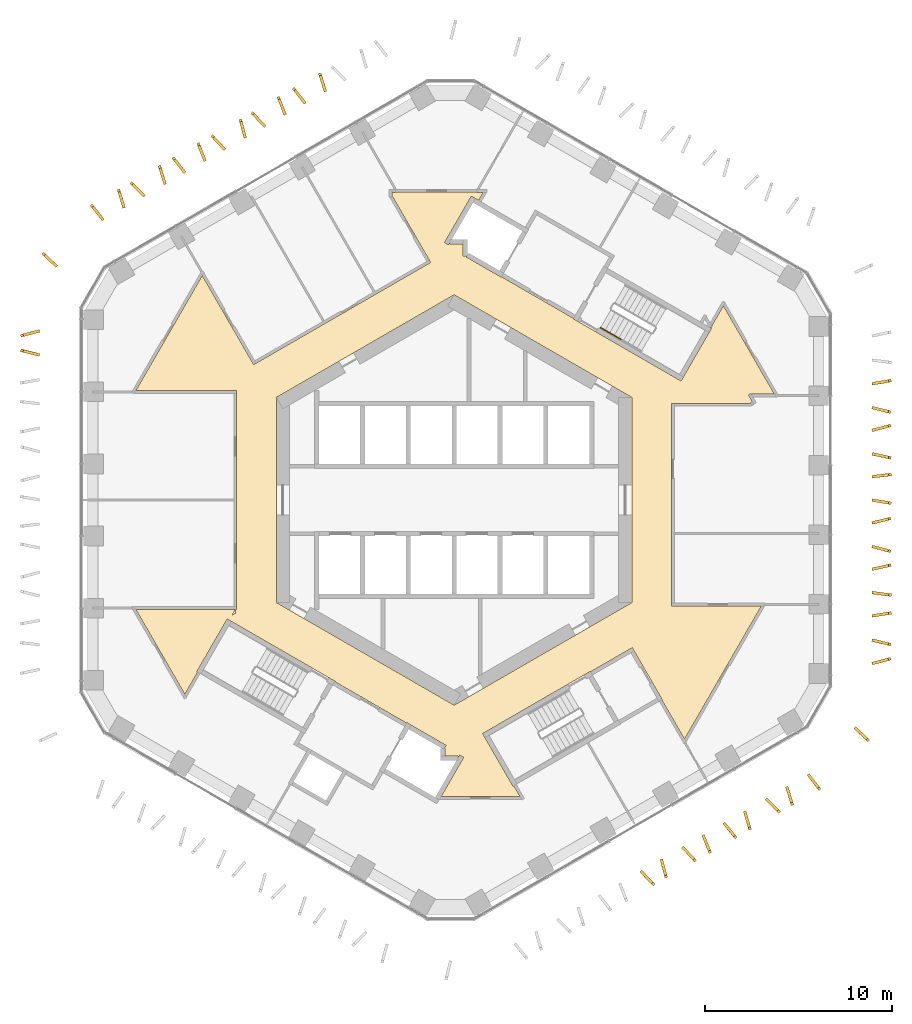
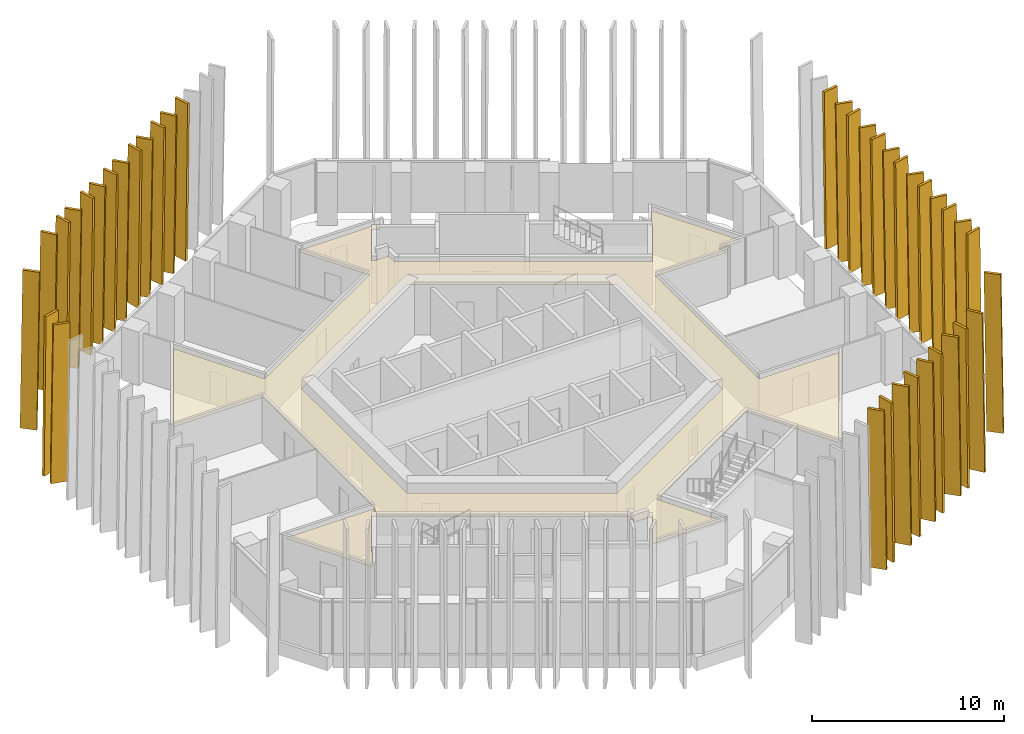
# One storey, part 18 of 19: 38 shading devices, 1 covering, 1 railing.
"""IFC4 building model written with IfcOpenShell, lengths in metres."""

from ifc_helpers import new_model, si_unit, direction, frame, origin, origin_2d, place, context, subcontext, project, spatial, polyline, circle, outline, extrude, material, layer, layer_set, type_object, element, save


model = new_model("IFC4")

# Units and contexts
model_context = context("Model", 3, precision=1e-05, world=origin(), true_north=direction((0.0, 1.0)))
body_context = subcontext(model_context, "Body", "Model", "MODEL_VIEW")
ifc_project = project(units=[si_unit("LENGTHUNIT", "METRE"), si_unit("AREAUNIT", "SQUARE_METRE"), si_unit("VOLUMEUNIT", "CUBIC_METRE"), si_unit("PLANEANGLEUNIT", "RADIAN"), si_unit("MASSUNIT", "GRAM", prefix="KILO")], contexts=[model_context])

# Site, building, storey
site_placement = place(None, origin())
site = spatial("IfcSite", under=ifc_project, at=site_placement, CompositionType="ELEMENT")
building_placement = place(site_placement, origin())
building = spatial("IfcBuilding", under=site, at=building_placement, Name="Ayvan Gate Tower", CompositionType="ELEMENT")
storey_placement = place(building_placement, frame((0.0, 0.0, 93.300048828125)))
storey = spatial("IfcBuildingStorey", under=building, at=storey_placement, Name="L24", CompositionType="ELEMENT", Elevation=93.300048828125)

# Shading devices
ifc_material_1 = material(Name="Bronze anodised aluminium", Category="aluminium")
ifc_layer_1 = layer(ifc_material_1, 0.14990234375)
ifc_layer_set_1 = layer_set([ifc_layer_1], Name="Bronze anodised aluminium")
shading_device_type = type_object("IfcShadingDeviceType", Name="Bronze fin 900 x 150", PredefinedType="USERDEFINED", material=ifc_layer_set_1)
shading_device_1_placement = place(storey_placement, frame((-6.84912109375, 21.9833984375, 0.0), z_axis=(0.95604253762, 0.293227970823, 0.000152930244), x_axis=(-0.293227974252, 0.9560425488, -6.081e-09)))
element("IfcShadingDevice", 1, at=shading_device_1_placement, inside=storey, type_object=shading_device_type, Name="Bronze fin FG08.1.4", ObjectType="FIN", PredefinedType="USERDEFINED", context=body_context, shape_type="SweptSolid", body=[
    extrude(outline(polyline([(0.0, 0.0), (0.9001536681363617, 0.0), (0.7576325025709862, 10.079834106854209), (-0.14228775673998478, 10.079834095907527), (0.0, 0.0)])), origin(), (0.0, 0.0, -1.0), 0.14990234375),
])
shading_device_2_placement = place(storey_placement, frame((-7.9892578125, 21.35986328125, 0.0), z_axis=(0.787559374793, 0.616238759849, 0.000148442547), x_axis=(-0.616238766637, 0.787559383471, -1.5859e-08)))
element("IfcShadingDevice", 2, at=shading_device_2_placement, inside=storey, type_object=shading_device_type, Name="Bronze fin FG08.1.5", ObjectType="FIN", PredefinedType="USERDEFINED", context=body_context, shape_type="SweptSolid", body=[
    extrude(outline(polyline([(0.0, 0.0), (0.8998445139770113, -1.3552527156068805e-20), (0.7575620011059064, 10.07983410744494), (-0.14243296178874068, 10.079834078900728), (0.0, 0.0)])), origin(), (0.0, 0.0, -1.0), 0.14990234375),
])
shading_device_3_placement = place(storey_placement, frame((-9.006591796875, 20.74755859375, 0.0), z_axis=(0.929826908262, 0.367997141082, 0.000157568555), x_axis=(-0.367997145654, 0.929826919803, 2.774e-08)))
element("IfcShadingDevice", 3, at=shading_device_3_placement, inside=storey, type_object=shading_device_type, Name="Bronze fin FG08.1.6", ObjectType="FIN", PredefinedType="USERDEFINED", context=body_context, shape_type="SweptSolid", body=[
    extrude(outline(polyline([(0.0, 0.0), (0.8998752394574411, 1.3552527156068805e-20), (0.7576056831841005, 10.079834088489003), (-0.14240672174554495, 10.079834138418653), (0.0, 0.0)])), origin(), (0.0, 0.0, -1.0), 0.14990234375),
])
shading_device_4_placement = place(storey_placement, frame((-10.14794921875, 20.117919921875, 0.0), z_axis=(0.729198711462, 0.684301990202, 0.000159395551), x_axis=(-0.684301998893, 0.729198720727, -1.5767e-08)))
element("IfcShadingDevice", 4, at=shading_device_4_placement, inside=storey, type_object=shading_device_type, Name="Bronze fin FG08.1.7", ObjectType="FIN", PredefinedType="USERDEFINED", context=body_context, shape_type="SweptSolid", body=[
    extrude(outline(polyline([(0.0, 0.0), (0.8998769049131942, 1.3552527156068805e-20), (0.7575011508973561, 10.079834124367402), (-0.14254281993353657, 10.079834095988051), (0.0, 0.0)])), origin(), (0.0, 0.0, -1.0), 0.14990234375),
])
shading_device_5_placement = place(storey_placement, frame((-11.127685546875, 19.508544921875, 0.0), z_axis=(0.965937144563, 0.25877675819, 0.000148908432), x_axis=(-0.258776761059, 0.965937155273, 0.0)))
element("IfcShadingDevice", 5, at=shading_device_5_placement, inside=storey, type_object=shading_device_type, Name="Bronze fin FG08.1.8", ObjectType="FIN", PredefinedType="USERDEFINED", context=body_context, shape_type="SweptSolid", body=[
    extrude(outline(polyline([(0.0, 0.0), (0.9000427831971298, 6.776263578034403e-21), (0.7576411418195699, 10.079834096128716), (-0.14240164137755992, 10.079834096128716), (0.0, 0.0)])), origin(), (0.0, 0.0, -1.0), 0.14990234375),
])
shading_device_6_placement = place(storey_placement, frame((-12.29052734375, 18.880859375, 0.0), z_axis=(0.729198713289, 0.684301991916, 0.000142821279), x_axis=(-0.684301998894, 0.729198720727, -1.4128e-08)))
element("IfcShadingDevice", 6, at=shading_device_6_placement, inside=storey, type_object=shading_device_type, Name="Bronze fin FG08.1.9", ObjectType="FIN", PredefinedType="USERDEFINED", context=body_context, shape_type="SweptSolid", body=[
    extrude(outline(polyline([(0.0, 0.0), (0.899876904913194, 1.3552527156068805e-20), (0.7576791944545155, 10.079834097882939), (-0.14236477637637734, 10.07983407245453), (0.0, 0.0)])), origin(), (0.0, 0.0, -1.0), 0.14990234375),
])
shading_device_7_placement = place(storey_placement, frame((-13.2919921875, 18.2734375, 0.0), z_axis=(0.929891672326, 0.367833461982, 0.000148276147), x_axis=(-0.367833466025, 0.929891682548, 0.0)))
element("IfcShadingDevice", 7, at=shading_device_7_placement, inside=storey, type_object=shading_device_type, Name="Bronze fin FG08.1.10", ObjectType="FIN", PredefinedType="USERDEFINED", context=body_context, shape_type="SweptSolid", body=[
    extrude(outline(polyline([(0.0, 0.0), (0.9000124188731935, 6.776263578034403e-21), (0.757515309159349, 10.079834095181688), (-0.1424971097138446, 10.079834095181688), (0.0, 0.0)])), origin(), (0.0, 0.0, -1.0), 0.14990234375),
])
shading_device_8_placement = place(storey_placement, frame((-14.417236328125, 17.648681640625, 0.0), z_axis=(0.787493544481, 0.616322884278, 0.000140414347), x_axis=(-0.616322890354, 0.787493552244, 0.0)))
element("IfcShadingDevice", 8, at=shading_device_8_placement, inside=storey, type_object=shading_device_type, Name="Bronze fin FG08.1.11", ObjectType="FIN", PredefinedType="USERDEFINED", context=body_context, shape_type="SweptSolid", body=[
    extrude(outline(polyline([(0.0, 0.0), (0.8999949680293663, -1.3552527156068805e-20), (0.7575623164755119, 10.079834083742957), (-0.14243265155385443, 10.079834083742957), (0.0, 0.0)])), origin(), (0.0, 0.0, -1.0), 0.14990234375),
])
shading_device_9_placement = place(storey_placement, frame((-15.420166015625, 17.034912109375, 0.0), z_axis=(0.956118555582, 0.29298000852, 0.000149266188), x_axis=(-0.292980011783, 0.956118566233, -5.931e-09)))
element("IfcShadingDevice", 9, at=shading_device_9_placement, inside=storey, type_object=shading_device_type, Name="Bronze fin FG08.1.12", ObjectType="FIN", PredefinedType="USERDEFINED", context=body_context, shape_type="SweptSolid", body=[
    extrude(outline(polyline([(0.0, 0.0), (0.9000821188225847, 6.776263578034403e-21), (0.7575605504857673, 10.079834101159427), (-0.1422881409524832, 10.079834090484052), (0.0, 0.0)])), origin(), (0.0, 0.0, -1.0), 0.14990234375),
])
shading_device_10_placement = place(storey_placement, frame((-16.598876953125, 16.39453125, 0.0), z_axis=(0.707242403031, 0.706971117107, 0.000151429152), x_axis=(-0.706971125213, 0.70724241114, 0.0)))
element("IfcShadingDevice", 10, at=shading_device_10_placement, inside=storey, type_object=shading_device_type, Name="Bronze fin FG08.1.13", ObjectType="FIN", PredefinedType="USERDEFINED", context=body_context, shape_type="SweptSolid", body=[
    extrude(outline(polyline([(0.0, 0.0), (0.8999384077507213, 0.0), (0.7575154818395233, 10.07983409994427), (-0.14242292591119793, 10.07983409994427), (0.0, 0.0)])), origin(), (0.0, 0.0, -1.0), 0.14990234375),
])
shading_device_11_placement = place(storey_placement, frame((-17.6123046875, 15.768798828125, 0.0), z_axis=(0.957467096778, 0.288542436221, 0.000145211836), x_axis=(-0.288542439261, 0.957467106874, -1.8862e-08)))
element("IfcShadingDevice", 11, at=shading_device_11_placement, inside=storey, type_object=shading_device_type, Name="Bronze fin FG08.1.14", ObjectType="FIN", PredefinedType="USERDEFINED", context=body_context, shape_type="SweptSolid", body=[
    extrude(outline(polyline([(0.0, 0.0), (0.8998100666728841, 0.0), (0.7574940916337608, 10.079834104936866), (-0.14238641997058343, 10.07983407099131), (0.0, 0.0)])), origin(), (0.0, 0.0, -1.0), 0.14990234375),
])
shading_device_12_placement = place(storey_placement, frame((-18.78759765625, 15.125732421875, 0.0), z_axis=(0.784573637491, 0.620035632256, 0.000148616385), x_axis=(-0.620035639102, 0.784573646157, -1.5818e-08)))
element("IfcShadingDevice", 12, at=shading_device_12_placement, inside=storey, type_object=shading_device_type, Name="Bronze fin FG08.1.15", ObjectType="FIN", PredefinedType="USERDEFINED", context=body_context, shape_type="SweptSolid", body=[
    extrude(outline(polyline([(0.0, 0.0), (0.8998458056720694, 1.3552527156068805e-20), (0.7576529854908186, 10.079834107675094), (-0.14234419606970336, 10.07983407920578), (0.0, 0.0)])), origin(), (0.0, 0.0, -1.0), 0.14990234375),
])
shading_device_13_placement = place(storey_placement, frame((-21.289794921875, 12.628662109375, 0.0), z_axis=(0.690156284659, 0.723660333855, 0.000154758327), x_axis=(-0.723660342523, 0.690156292922, 1.4486e-08)))
element("IfcShadingDevice", 13, at=shading_device_13_placement, inside=storey, type_object=shading_device_type, Name="Bronze fin FG08.2.16", ObjectType="FIN", PredefinedType="USERDEFINED", context=body_context, shape_type="SweptSolid", body=[
    extrude(outline(polyline([(0.0, 0.0), (0.900020362071362, 0.0), (0.7575928629757727, 10.079834094106959), (-0.14225082420727814, 10.079834120180433), (0.0, 0.0)])), origin(), (0.0, 0.0, -1.0), 0.14990234375),
])
shading_device_14_placement = place(storey_placement, frame((-22.3193359375, 9.077880859375, 0.0), z_axis=(-0.25607522403, 0.966656844102, 0.000159338544), x_axis=(-0.966656856373, -0.25607522728, -5.533e-09)))
element("IfcShadingDevice", 14, at=shading_device_14_placement, inside=storey, type_object=shading_device_type, Name="Bronze fin FG08.3.17", ObjectType="FIN", PredefinedType="USERDEFINED", context=body_context, shape_type="SweptSolid", body=[
    extrude(outline(polyline([(0.0, 0.0), (0.9001220826823083, 0.0), (0.757605782226149, 10.079834116524488), (-0.1422803002470837, 10.079834106564208), (0.0, 0.0)])), origin(), (0.0, 0.0, -1.0), 0.14990234375),
])
shading_device_15_placement = place(storey_placement, frame((-22.28271484375, 7.85791015625, 0.0), z_axis=(0.24250370914, 0.970150465034, 0.000162010439), x_axis=(-0.970150477766, 0.242503712324, -5.329e-09)))
element("IfcShadingDevice", 15, at=shading_device_15_placement, inside=storey, type_object=shading_device_type, Name="Bronze fin FG08.3.18", ObjectType="FIN", PredefinedType="USERDEFINED", context=body_context, shape_type="SweptSolid", body=[
    extrude(outline(polyline([(0.0, 0.0), (0.8999161199482214, 0.0), (0.7575685518539225, 10.079834120696935), (-0.14258442123828471, 10.079834111103844), (0.0, 0.0)])), origin(), (0.0, 0.0, -1.0), 0.14990234375),
])
shading_device_16_placement = place(storey_placement, frame((10.01806640625, -19.987548828125, 0.0), z_axis=(-0.725246588896, -0.688489187439, 0.000155163413), x_axis=(0.688489195728, -0.725246597624, 1.4491e-08)))
element("IfcShadingDevice", 16, at=shading_device_16_placement, inside=storey, type_object=shading_device_type, Name="Bronze fin FG08.7.55", ObjectType="FIN", PredefinedType="USERDEFINED", context=body_context, shape_type="SweptSolid", body=[
    extrude(outline(polyline([(0.0, 0.0), (0.8998949546405677, 0.0), (0.7575585509318254, 10.079834094736517), (-0.14251346586636526, 10.07983412082022), (0.0, 0.0)])), origin(), (0.0, 0.0, -1.0), 0.14990234375),
])
shading_device_17_placement = place(storey_placement, frame((11.038818359375, -19.354248046875, 0.0), z_axis=(-0.965869312302, -0.259029821187, 0.000152609749), x_axis=(0.259029824204, -0.965869323549, 0.0)))
element("IfcShadingDevice", 17, at=shading_device_17_placement, inside=storey, type_object=shading_device_type, Name="Bronze fin FG08.7.56", ObjectType="FIN", PredefinedType="USERDEFINED", context=body_context, shape_type="SweptSolid", body=[
    extrude(outline(polyline([(0.0, 0.0), (0.900105992009892, 0.0), (0.7577047487689934, 10.079834101753336), (-0.14240124324089867, 10.079834101753336), (0.0, 0.0)])), origin(), (0.0, 0.0, -1.0), 0.14990234375),
])
shading_device_18_placement = place(storey_placement, frame((12.2421875, -18.702880859375, 0.0), z_axis=(-0.733845815564, -0.679316052559, 0.000140406787), x_axis=(0.679316059255, -0.733845822798, 0.0)))
element("IfcShadingDevice", 18, at=shading_device_18_placement, inside=storey, type_object=shading_device_type, Name="Bronze fin FG08.7.57", ObjectType="FIN", PredefinedType="USERDEFINED", context=body_context, shape_type="SweptSolid", body=[
    extrude(outline(polyline([(0.0, 0.0), (0.8999170808211545, 0.0), (0.7575066094645267, 10.079834083732258), (-0.14241047135662777, 10.079834083732258), (0.0, 0.0)])), origin(), (0.0, 0.0, -1.0), 0.14990234375),
])
shading_device_19_placement = place(storey_placement, frame((13.28857421875, -18.071044921875, 0.0), z_axis=(-0.92552966098, -0.378675089897, 0.000151452554), x_axis=(0.37867509424, -0.925529671595, 0.0)))
element("IfcShadingDevice", 19, at=shading_device_19_placement, inside=storey, type_object=shading_device_type, Name="Bronze fin FG08.7.58", ObjectType="FIN", PredefinedType="USERDEFINED", context=body_context, shape_type="SweptSolid", body=[
    extrude(outline(polyline([(0.0, 0.0), (0.9000336110938485, 0.0), (0.757686875921493, 10.079834099979992), (-0.14234673517235538, 10.079834099979992), (0.0, 0.0)])), origin(), (0.0, 0.0, -1.0), 0.14990234375),
])
shading_device_20_placement = place(storey_placement, frame((14.455322265625, -17.421875, 0.0), z_axis=(-0.780114025891, -0.625637343782, 0.000143784592), x_axis=(0.625637350247, -0.780114033956, -1.5214e-08)))
element("IfcShadingDevice", 20, at=shading_device_20_placement, inside=storey, type_object=shading_device_type, Name="Bronze fin FG08.7.59", ObjectType="FIN", PredefinedType="USERDEFINED", context=body_context, shape_type="SweptSolid", body=[
    extrude(outline(polyline([(0.0, 0.0), (0.8999823465157544, 1.3552527156068805e-20), (0.7575745301534873, 10.079834100096111), (-0.14256055985597985, 10.07983407270893), (0.0, 0.0)])), origin(), (0.0, 0.0, -1.0), 0.14990234375),
])
shading_device_21_placement = place(storey_placement, frame((15.495849609375, -16.78466796875, 0.0), z_axis=(-0.958328802769, -0.285667439297, 0.000141101617), x_axis=(0.28566744214, -0.958328812309, -5.467e-09)))
element("IfcShadingDevice", 21, at=shading_device_21_placement, inside=storey, type_object=shading_device_type, Name="Bronze fin FG08.7.60", ObjectType="FIN", PredefinedType="USERDEFINED", context=body_context, shape_type="SweptSolid", body=[
    extrude(outline(polyline([(0.0, 0.0), (0.9000448023584962, -6.776263578034403e-21), (0.7575606354638686, 10.079834088859554), (-0.1422501998994351, 10.07983407901998), (0.0, 0.0)])), origin(), (0.0, 0.0, -1.0), 0.14990234375),
])
shading_device_22_placement = place(storey_placement, frame((16.7099609375, -16.124755859375, 0.0), z_axis=(-0.707310189764, -0.706903299914, 0.000141513479), x_axis=(0.706903306991, -0.707310196848, -1.3567e-08)))
element("IfcShadingDevice", 22, at=shading_device_22_placement, inside=storey, type_object=shading_device_type, Name="Bronze fin FG08.7.61", ObjectType="FIN", PredefinedType="USERDEFINED", context=body_context, shape_type="SweptSolid", body=[
    extrude(outline(polyline([(0.0, 0.0), (0.9001110867671357, -1.3552527156068805e-20), (0.7576878784021154, 10.079834095583973), (-0.1422505252114929, 10.07983407116338), (0.0, 0.0)])), origin(), (0.0, 0.0, -1.0), 0.14990234375),
])
shading_device_23_placement = place(storey_placement, frame((17.75146484375, -15.483642578125, 0.0), z_axis=(-0.95541167555, -0.295277004213, 0.000144931852), x_axis=(0.295277007316, -0.955411685584, 1.8781e-08)))
element("IfcShadingDevice", 23, at=shading_device_23_placement, inside=storey, type_object=shading_device_type, Name="Bronze fin FG08.7.62", ObjectType="FIN", PredefinedType="USERDEFINED", context=body_context, shape_type="SweptSolid", body=[
    extrude(outline(polyline([(0.0, 0.0), (0.9000284710922992, -6.776263578034403e-21), (0.7576003419246059, 10.07983407601153), (-0.14235604005457897, 10.079834109816225), (0.0, 0.0)])), origin(), (0.0, 0.0, -1.0), 0.14990234375),
])
shading_device_24_placement = place(storey_placement, frame((18.9501953125, -14.82568359375, 0.0), z_axis=(-0.791108978513, -0.611675208828, 0.00015172934), x_axis=(0.61167521587, -0.791108987618, 1.2589e-08)))
element("IfcShadingDevice", 24, at=shading_device_24_placement, inside=storey, type_object=shading_device_type, Name="Bronze fin FG08.7.63", ObjectType="FIN", PredefinedType="USERDEFINED", context=body_context, shape_type="SweptSolid", body=[
    extrude(outline(polyline([(0.0, 0.0), (0.899951518476977, 2.710505431213761e-20), (0.7575748496589922, 10.079834090866035), (-0.14256981066066493, 10.079834113526932), (0.0, 0.0)])), origin(), (0.0, 0.0, -1.0), 0.14990234375),
])
shading_device_25_placement = place(storey_placement, frame((21.468994140625, -12.31982421875, 0.0), z_axis=(-0.686049788905, -0.727554580405, 0.000140265438), x_axis=(0.727554587562, -0.686049795654, 0.0)))
element("IfcShadingDevice", 25, at=shading_device_25_placement, inside=storey, type_object=shading_device_type, Name="Bronze fin FG08.8.64", ObjectType="FIN", PredefinedType="USERDEFINED", context=body_context, shape_type="SweptSolid", body=[
    extrude(outline(polyline([(0.0, 0.0), (0.8999807951785506, 1.3552527156068805e-20), (0.7577110089919223, 10.07983408353231), (-0.14226978618662822, 10.07983408353231), (0.0, 0.0)])), origin(), (0.0, 0.0, -1.0), 0.14990234375),
])
shading_device_26_placement = place(storey_placement, frame((22.49755859375, -8.784423828125, 0.0), z_axis=(0.25756978499, -0.966259688398, 0.00014296034), x_axis=(0.966259698271, 0.257569787624, 1.8735e-08)))
element("IfcShadingDevice", 26, at=shading_device_26_placement, inside=storey, type_object=shading_device_type, Name="Bronze fin FG08.9.65", ObjectType="FIN", PredefinedType="USERDEFINED", context=body_context, shape_type="SweptSolid", body=[
    extrude(outline(polyline([(0.0, 0.0), (0.9000264510461768, 6.776263578034403e-21), (0.7576232344450838, 10.079834073184692), (-0.1423403333521613, 10.079834106908322), (0.0, 0.0)])), origin(), (0.0, 0.0, -1.0), 0.14990234375),
])
shading_device_27_placement = place(storey_placement, frame((22.46142578125, -7.5947265625, 0.0), z_axis=(-0.23694681037, -0.971522611723, 0.000154808926), x_axis=(0.971522623366, -0.236946813207, 1.5426e-08)))
element("IfcShadingDevice", 27, at=shading_device_27_placement, inside=storey, type_object=shading_device_type, Name="Bronze fin FG08.9.66", ObjectType="FIN", PredefinedType="USERDEFINED", context=body_context, shape_type="SweptSolid", body=[
    extrude(outline(polyline([(0.0, 0.0), (0.8998723345218954, 0.0), (0.7575310292490223, 10.079834093474764), (-0.1426363417564113, 10.079834121242715), (0.0, 0.0)])), origin(), (0.0, 0.0, -1.0), 0.14990234375),
])
shading_device_28_placement = place(storey_placement, frame((22.49365234375, -6.251220703125, 0.0), z_axis=(0.158831564082, -0.987305683139, 0.000149307412), x_axis=(0.987305694143, 0.158831565855, 1.6775e-08)))
element("IfcShadingDevice", 28, at=shading_device_28_placement, inside=storey, type_object=shading_device_type, Name="Bronze fin FG08.9.67", ObjectType="FIN", PredefinedType="USERDEFINED", context=body_context, shape_type="SweptSolid", body=[
    extrude(outline(polyline([(0.0, 0.0), (0.9001142637385574, 0.0), (0.7576599084786795, 10.079834084018334), (-0.142174536592886, 10.079834114213183), (0.0, 0.0)])), origin(), (0.0, 0.0, -1.0), 0.14990234375),
])
shading_device_29_placement = place(storey_placement, frame((22.472900390625, -5.044677734375, 0.0), z_axis=(-0.128440400341, -0.99171721995, 0.000138618093), x_axis=(0.991717229478, -0.128440401577, -1.8645e-08)))
element("IfcShadingDevice", 29, at=shading_device_29_placement, inside=storey, type_object=shading_device_type, Name="Bronze fin FG08.9.68", ObjectType="FIN", PredefinedType="USERDEFINED", context=body_context, shape_type="SweptSolid", body=[
    extrude(outline(polyline([(0.0, 0.0), (0.9000485696576235, -3.3881317890172014e-21), (0.7578060687509298, 10.079834095345838), (-0.1422111433867772, 10.079834061784423), (0.0, 0.0)])), origin(), (0.0, 0.0, -1.0), 0.14990234375),
])
shading_device_30_placement = place(storey_placement, frame((22.49609375, -3.746826171875, 0.0), z_axis=(0.216628829325, -0.976254029211, 0.000144068026), x_axis=(0.976254039341, 0.216628831575, 1.4843e-08)))
element("IfcShadingDevice", 30, at=shading_device_30_placement, inside=storey, type_object=shading_device_type, Name="Bronze fin FG08.9.69", ObjectType="FIN", PredefinedType="USERDEFINED", context=body_context, shape_type="SweptSolid", body=[
    extrude(outline(polyline([(0.0, 0.0), (0.90005486426226, 3.3881317890172014e-21), (0.7575615702483827, 10.079834077737353), (-0.14220206284421993, 10.07983410445122), (0.0, 0.0)])), origin(), (0.0, 0.0, -1.0), 0.14990234375),
])
shading_device_31_placement = place(storey_placement, frame((22.458740234375, -2.59130859375, 0.0), z_axis=(-0.257823030351, -0.966192145302, 0.000152893833), x_axis=(0.966192156595, -0.257823033367, -2.0034e-08)))
element("IfcShadingDevice", 31, at=shading_device_31_placement, inside=storey, type_object=shading_device_type, Name="Bronze fin FG08.9.70", ObjectType="FIN", PredefinedType="USERDEFINED", context=body_context, shape_type="SweptSolid", body=[
    extrude(outline(polyline([(0.0, 0.0), (0.9000893961237623, -6.776263578034403e-21), (0.7576384597448206, 10.07983411736963), (-0.14238799130243598, 10.079834081305261), (0.0, 0.0)])), origin(), (0.0, 0.0, -1.0), 0.14990234375),
])
shading_device_32_placement = place(storey_placement, frame((22.496826171875, -1.268798828125, 0.0), z_axis=(0.237873949147, -0.971296022687, 0.000143629523), x_axis=(0.971296032706, 0.237873951601, 0.0)))
element("IfcShadingDevice", 32, at=shading_device_32_placement, inside=storey, type_object=shading_device_type, Name="Bronze fin FG08.9.71", ObjectType="FIN", PredefinedType="USERDEFINED", context=body_context, shape_type="SweptSolid", body=[
    extrude(outline(polyline([(0.0, 0.0), (0.9001041378596171, 0.0), (0.7576887613606571, 10.079834088345667), (-0.1424153764989599, 10.079834088345667), (0.0, 0.0)])), origin(), (0.0, 0.0, -1.0), 0.14990234375),
])
shading_device_33_placement = place(storey_placement, frame((22.469482421875, -0.1025390625, 0.0), z_axis=(-0.163431185532, -0.986554724948, 0.000149256979), x_axis=(0.986554735938, -0.16343118735, 1.9972e-08)))
element("IfcShadingDevice", 33, at=shading_device_33_placement, inside=storey, type_object=shading_device_type, Name="Bronze fin FG08.9.72", ObjectType="FIN", PredefinedType="USERDEFINED", context=body_context, shape_type="SweptSolid", body=[
    extrude(outline(polyline([(0.0, 0.0), (0.9000207884254398, 3.3881317890172014e-21), (0.7574976686700117, 10.079834081524032), (-0.14256301994765222, 10.07983411747458), (0.0, 0.0)])), origin(), (0.0, 0.0, -1.0), 0.14990234375),
])
shading_device_34_placement = place(storey_placement, frame((22.491943359375, 1.18359375, 0.0), z_axis=(0.121797533431, -0.992554955068, 0.000148388047), x_axis=(0.992554965996, 0.121797534772, 0.0)))
element("IfcShadingDevice", 34, at=shading_device_34_placement, inside=storey, type_object=shading_device_type, Name="Bronze fin FG08.9.73", ObjectType="FIN", PredefinedType="USERDEFINED", context=body_context, shape_type="SweptSolid", body=[
    extrude(outline(polyline([(0.0, 0.0), (0.9000111605693982, 0.0), (0.7575310043101454, 10.079834095349), (-0.14248015625925273, 10.079834095349), (0.0, 0.0)])), origin(), (0.0, 0.0, -1.0), 0.14990234375),
])
shading_device_35_placement = place(storey_placement, frame((22.464111328125, 2.364013671875, 0.0), z_axis=(-0.21226071374, -0.977213062299, 0.000142390481), x_axis=(0.977213072205, -0.212260715894, -1.4771e-08)))
element("IfcShadingDevice", 35, at=shading_device_35_placement, inside=storey, type_object=shading_device_type, Name="Bronze fin FG08.9.74", ObjectType="FIN", PredefinedType="USERDEFINED", context=body_context, shape_type="SweptSolid", body=[
    extrude(outline(polyline([(0.0, 0.0), (0.9001706151609636, 0.0), (0.7576831295681932, 10.079834097751064), (-0.14219708671872278, 10.079834071163084), (0.0, 0.0)])), origin(), (0.0, 0.0, -1.0), 0.14990234375),
])
shading_device_36_placement = place(storey_placement, frame((22.49755859375, 3.683349609375, 0.0), z_axis=(0.257156106914, -0.966369863797, 0.000151731007), x_axis=(0.966369874921, 0.257156109874, 5.293e-09)))
element("IfcShadingDevice", 36, at=shading_device_36_placement, inside=storey, type_object=shading_device_type, Name="Bronze fin FG08.9.75", ObjectType="FIN", PredefinedType="USERDEFINED", context=body_context, shape_type="SweptSolid", body=[
    extrude(outline(polyline([(0.0, 0.0), (0.8999007535714099, 6.776263578034403e-21), (0.757559630371286, 10.079834096395855), (-0.14257705334536802, 10.079834105923117), (0.0, 0.0)])), origin(), (0.0, 0.0, -1.0), 0.14990234375),
])
shading_device_37_placement = place(storey_placement, frame((22.4609375, 4.834228515625, 0.0), z_axis=(-0.24087581615, -0.970555934893, 0.00013578924), x_axis=(0.970555943841, -0.240875818371, 0.0)))
element("IfcShadingDevice", 37, at=shading_device_37_placement, inside=storey, type_object=shading_device_type, Name="Bronze fin FG08.9.76", ObjectType="FIN", PredefinedType="USERDEFINED", context=body_context, shape_type="SweptSolid", body=[
    extrude(outline(polyline([(0.0, 0.0), (0.9000358627379677, -3.3881317890172014e-21), (0.7575720009820984, 10.079834077304609), (-0.1424638617558692, 10.079834077304609), (0.0, 0.0)])), origin(), (0.0, 0.0, -1.0), 0.14990234375),
])
shading_device_38_placement = place(storey_placement, frame((22.494140625, 6.160400390625, 0.0), z_axis=(0.167653498048, -0.985845973961, 0.000142189679), x_axis=(0.985845983926, 0.167653499743, 0.0)))
element("IfcShadingDevice", 38, at=shading_device_38_placement, inside=storey, type_object=shading_device_type, Name="Bronze fin FG08.9.77", ObjectType="FIN", PredefinedType="USERDEFINED", context=body_context, shape_type="SweptSolid", body=[
    extrude(outline(polyline([(0.0, 0.0), (0.8999448653393356, 0.0), (0.7575446190702939, 10.079834086271566), (-0.1424002462690416, 10.079834086271566), (0.0, 0.0)])), origin(), (0.0, 0.0, -1.0), 0.14990234375),
])

# Covering
ifc_material_2 = material(Name="Plasterboard suspended ceiling")
ifc_layer_2 = layer(ifc_material_2, 0.050048828125)
ifc_layer_set_2 = layer_set([ifc_layer_2], Name="Plasterboard suspended ceiling")
covering_type = type_object("IfcCoveringType", Name="CT-SUSP-50", PredefinedType="CEILING", material=ifc_layer_set_2)
covering_placement = place(storey_placement, frame((0.0, 0.0, 2.699951171875)))
element("IfcCovering", 39, at=covering_placement, inside=storey, type_object=covering_type, Name="Ceiling Ring Corridor L24", PredefinedType="CEILING", context=body_context, shape_type="SweptSolid", body=[
    extrude(outline(polyline([(-11.625, 5.847412109375), (-17.013916015625, 5.847412109375), (-13.464111328125, 11.99560546875), (-10.71630859375, 7.236328125), (-10.586181640625, 7.311279296875), (-1.255126953125, 12.69873046875), (-1.330078125, 12.82861328125), (-3.297607421875, 16.236328125), (-3.324951171875, 16.220703125), (-3.324951171875, 16.43603515625), (-3.130859375, 16.43603515625), (-3.130859375, 16.4580078125), (1.21875, 16.4580078125), (1.21875, 16.43603515625), (1.55078125, 16.43603515625), (1.30859375, 16.0166015625), (1.135498046875, 16.116455078125), (0.918701171875, 16.241455078125), (-0.511474609375, 13.76416015625), (-0.294921875, 13.63916015625), (-0.215576171875, 13.776611328125), (-0.215576171875, 13.68505859375), (0.47509765625, 13.68505859375), (0.47509765625, 13.03857421875), (0.672119140625, 13.03857421875), (0.645751953125, 12.992919921875), (2.518310546875, 11.91162109375), (2.53076171875, 11.933349609375), (6.384521484375, 9.70849609375), (6.3720703125, 9.686767578125), (6.588623046875, 9.561767578125), (12.131103515625, 6.36181640625), (12.24609375, 6.56103515625), (13.631103515625, 8.959716796875), (13.756103515625, 9.176513671875), (13.681396484375, 9.219482421875), (13.7919921875, 9.283447265625), (13.744384765625, 9.365966796875), (13.7919921875, 9.33837890625), (14.39501953125, 10.383056640625), (17.12060546875, 5.662353515625), (15.914306640625, 5.662353515625), (15.914306640625, 5.607421875), (15.866943359375, 5.68994140625), (15.73681640625, 5.614990234375), (15.946533203125, 5.251953125), (15.839111328125, 5.18994140625), (15.85498046875, 5.162353515625), (11.625, 5.162353515625), (11.625, -5.662353515625), (16.427734375, -5.662353515625), (12.316650390625, -12.783203125), (11.102294921875, -10.6796875), (11.123779296875, -10.667236328125), (9.623779296875, -8.069091796875), (9.52392578125, -7.89599609375), (7.2939453125, -9.183349609375), (7.281494140625, -9.16162109375), (1.522216796875, -12.48681640625), (1.647216796875, -12.703369140625), (3.147216796875, -15.30126953125), (3.190673828125, -15.2763671875), (3.526611328125, -15.858154296875), (-0.697509765625, -15.858154296875), (0.511474609375, -13.76416015625), (0.294921875, -13.63916015625), (0.215576171875, -13.776611328125), (0.215576171875, -13.68505859375), (-0.47509765625, -13.68505859375), (-0.47509765625, -13.28857421875), (-0.52783203125, -13.28857421875), (-0.42919921875, -13.117919921875), (-2.284423828125, -12.046630859375), (-2.518310546875, -11.91162109375), (-2.53076171875, -11.933349609375), (-6.384521484375, -9.70849609375), (-6.3720703125, -9.686767578125), (-11.897216796875, -6.49658203125), (-12.131103515625, -6.36181640625), (-13.756103515625, -9.17626953125), (-13.712890625, -9.201416015625), (-14.39501953125, -10.383056640625), (-17.013916015625, -5.847412109375), (-11.625, -5.847412109375), (-11.625, 5.847412109375)]), holes=[polyline([(9.5, 5.48486328125), (8.771728515625, 5.9052734375), (0.0, 10.9697265625), (-8.771728515625, 5.9052734375), (-9.5, 5.48486328125), (-9.5, -5.48486328125), (-8.771728515625, -5.9052734375), (0.0, -10.9697265625), (8.38720703125, -6.127197265625), (8.771728515625, -5.9052734375), (9.5, -5.48486328125), (9.5, 5.48486328125)]), polyline([(-11.699951171875, -6.062255859375), (-11.699951171875, -5.864990234375), (-11.870849609375, -6.160888671875), (-11.699951171875, -6.062255859375)])]), origin(), (0.0, 0.0, 1.0), 0.050048828125),
])

# Railing
ifc_material_3 = material(Name="Stainless steel balustrade", Category="steel")
railing_type = type_object("IfcRailingType", Name="RL-HANDRAIL-900", PredefinedType="HANDRAIL", material=ifc_material_3)
railing_placement = place(storey_placement, frame((7.8310546875, 9.2138671875, 0.169921875)))
element("IfcRailing", 40, at=railing_placement, inside=storey, type_object=railing_type, Name="L24 STS1 stair handrail 1", PredefinedType="HANDRAIL", context=body_context, shape_type="SweptSolid", body=[
    extrude(circle(Radius=0.02392578125, at=origin_2d()), frame((0.0, 0.0, 0.8759765625), z_axis=(0.740292964666, -0.42728318766, 0.519033143459), x_axis=(0.499890179513, 0.866088799389, 0.0)), (0.0, 0.0, 1.0), 1.47412109375),
    extrude(circle(Radius=0.02099609375, at=origin_2d()), origin(), (0.0, 0.0, 1.0), 0.851806640625),
    extrude(circle(Radius=0.02099609375, at=origin_2d()), frame((0.545654296875, -0.31494140625, 0.382568359375)), (0.0, 0.0, 1.0), 0.851806640625),
    extrude(circle(Radius=0.02099609375, at=origin_2d()), frame((1.09130859375, -0.6298828125, 0.76513671875)), (0.0, 0.0, 1.0), 0.851806640625),
])

save(model, "model.ifc")
